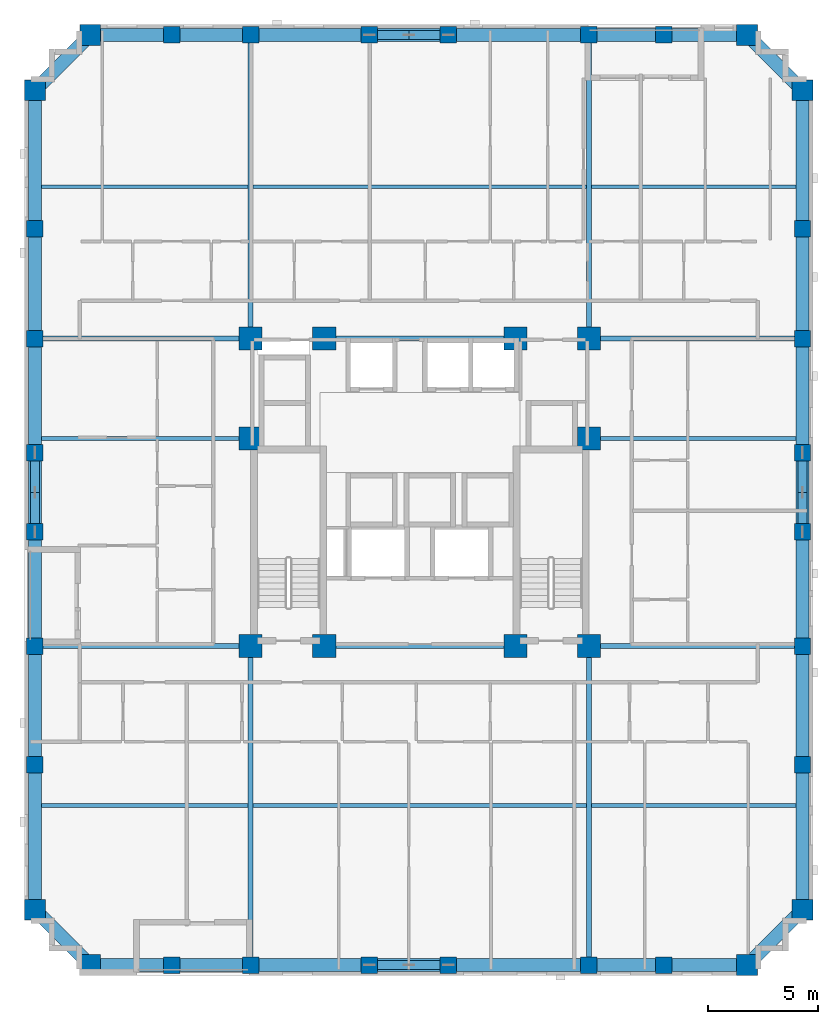
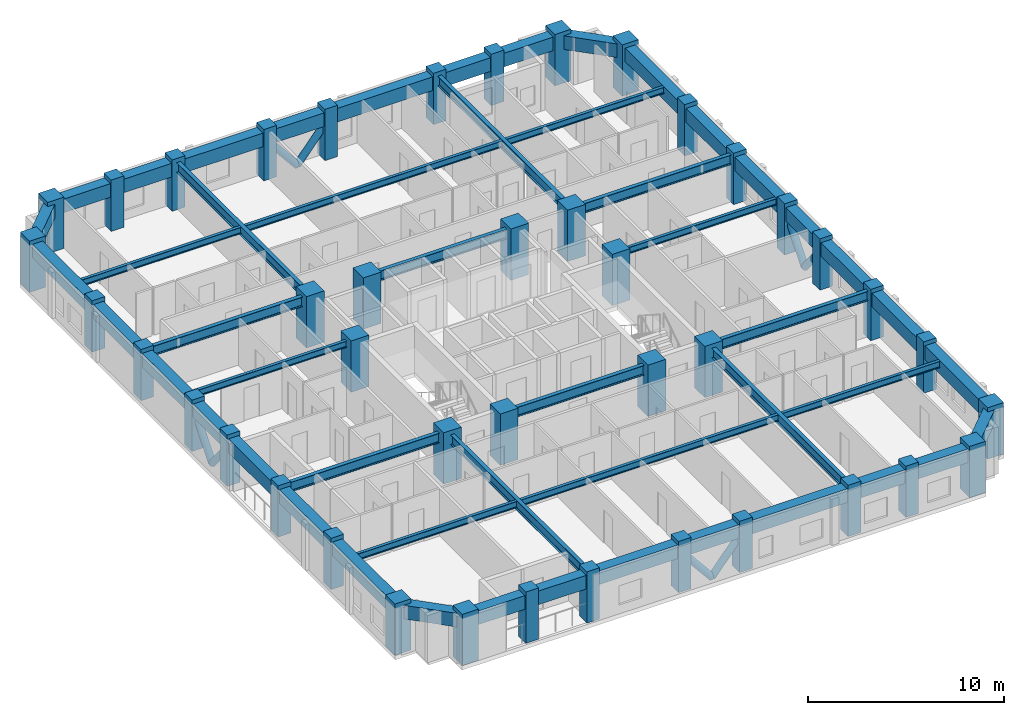
# One storey, part 1 of 12: 50 beams, 42 columns, 8 members.
"""IFC4 building model written with IfcOpenShell, lengths in metres."""

from ifc_helpers import new_model, si_unit, derived_unit, direction, frame, origin, origin_2d, place, context, subcontext, project, spatial, rectangle, hollow_circle, i_section, extrude, material, material_profile, profile_set, type_object, element, save


model = new_model("IFC4")

# Units and contexts
model_context = context("Model", 3, precision=1e-05, world=origin(), true_north=direction((0.0, 1.0)))
body_context = subcontext(model_context, "Body", "Model", "MODEL_VIEW")
ifc_project = project(units=[si_unit("LENGTHUNIT", "METRE"), si_unit("AREAUNIT", "SQUARE_METRE"), si_unit("VOLUMEUNIT", "CUBIC_METRE"), si_unit("PLANEANGLEUNIT", "RADIAN"), si_unit("MASSUNIT", "GRAM", prefix="KILO"), derived_unit("THERMALTRANSMITTANCEUNIT", [(si_unit("MASSUNIT", "GRAM", prefix="KILO"), 1), (si_unit("TIMEUNIT", "SECOND"), -3), (si_unit("THERMODYNAMICTEMPERATUREUNIT", "KELVIN"), -1)])], contexts=[model_context])

# Site, building, storey
site_placement = place(None, origin())
site = spatial("IfcSite", under=ifc_project, at=site_placement, CompositionType="ELEMENT")
building_placement = place(site_placement, origin())
building = spatial("IfcBuilding", under=site, at=building_placement, Name="Korrvale Station Residences", CompositionType="ELEMENT")
storey_placement = place(building_placement, frame((0.0, 0.0, 103.89990234375)))
storey = spatial("IfcBuildingStorey", under=building, at=storey_placement, Name="L29", CompositionType="ELEMENT", Elevation=103.89990234375)

# Columns
ifc_material_1 = material(Name="Concrete C60/75", Category="concrete")
ifc_material_profile_1 = material_profile(ifc_material_1, rectangle(XDim=1.050048828125, YDim=1.050048828125, at=origin_2d()), Name="RC1050x1050")
ifc_profile_set_1 = profile_set([ifc_material_profile_1], Name="Concrete C60/75")
column_type_1 = type_object("IfcColumnType", Name="COL-C-RC1050x1050-C6075", PredefinedType="COLUMN", material=ifc_profile_set_1)
for number, where, z_axis, x_axis, name in (
    (1, (17.800048828125, 15.0, 0.0), (0.0, 0.0, 1.0), (1.0, 0.0, 0.0), "L29 Core Column 01"),
    (2, (21.14990234375, 15.0, 0.0), (0.0, 0.0, 1.0), (1.0, 0.0, 0.0), "L29 Core Column 02"),
    (3, (29.85009765625, 15.0, 0.0), (0.0, 0.0, 1.0), (1.0, 0.0, 0.0), "L29 Core Column 03"),
    (4, (33.199951171875, 15.0, 0.0), (0.0, 0.0, 1.0), (1.0, 0.0, 0.0), "L29 Core Column 04"),
    (5, (17.800048828125, 29.0, 0.0), (0.0, 0.0, 1.0), (1.0, 0.0, 0.0), "L29 Core Column 05"),
    (6, (21.14990234375, 29.0, 0.0), (0.0, 0.0, 1.0), (1.0, 0.0, 0.0), "L29 Core Column 06"),
    (7, (29.85009765625, 29.0, 0.0), (0.0, 0.0, 1.0), (1.0, 0.0, 0.0), "L29 Core Column 07"),
    (8, (33.199951171875, 29.0, 0.0), (0.0, 0.0, 1.0), (1.0, 0.0, 0.0), "L29 Core Column 08"),
    (9, (17.800048828125, 24.449951171875, 0.0), (0.0, 0.0, 1.0), (1.0, 0.0, 0.0), "L29 Core Column 09"),
    (10, (33.199951171875, 24.449951171875, 0.0), (0.0, 0.0, 1.0), (1.0, 0.0, 0.0), "L29 Core Column 10"),
):
    element("IfcColumn", number, at=place(storey_placement, frame(where, z_axis=z_axis, x_axis=x_axis)), inside=storey, type_object=column_type_1, Name=name, PredefinedType="COLUMN", context=body_context, shape_type="SweptSolid", body=[
        extrude(rectangle(XDim=1.050048828125, YDim=1.050048828125, at=origin_2d()), origin(), (0.0, 0.0, 1.0), 3.2001953125),
    ])
ifc_material_profile_2 = material_profile(ifc_material_1, rectangle(XDim=0.75, YDim=0.75, at=origin_2d()), Name="RC750x750")
ifc_profile_set_2 = profile_set([ifc_material_profile_2], Name="Concrete C60/75")
column_type_2 = type_object("IfcColumnType", Name="COL-C-RC750x750-C6075", PredefinedType="COLUMN", material=ifc_profile_set_2)
for number, where, z_axis, x_axis, name in (
    (11, (14.199951171875, 0.47998046875, 0.0), (0.0, 0.0, 1.0), (1.0, 0.0, 0.0), "L29 Bundled-Tube South Column 02"),
    (12, (17.800048828125, 0.47998046875, 0.0), (0.0, 0.0, 1.0), (1.0, 0.0, 0.0), "L29 Bundled-Tube South Column 03"),
    (13, (23.199951171875, 0.47998046875, 0.0), (0.0, 0.0, 1.0), (1.0, 0.0, 0.0), "L29 Bundled-Tube South Column 04"),
    (14, (26.800048828125, 0.47998046875, 0.0), (0.0, 0.0, 1.0), (1.0, 0.0, 0.0), "L29 Bundled-Tube South Column 05"),
    (15, (33.199951171875, 0.47998046875, 0.0), (0.0, 0.0, 1.0), (1.0, 0.0, 0.0), "L29 Bundled-Tube South Column 06"),
    (16, (36.60009765625, 0.47998046875, 0.0), (0.0, 0.0, 1.0), (1.0, 0.0, 0.0), "L29 Bundled-Tube South Column 07"),
    (17, (14.199951171875, 42.820068359375, 0.0), (0.0, 0.0, 1.0), (1.0, 0.0, 0.0), "L29 Bundled-Tube North Column 10"),
    (18, (17.800048828125, 42.820068359375, 0.0), (0.0, 0.0, 1.0), (1.0, 0.0, 0.0), "L29 Bundled-Tube North Column 11"),
    (19, (23.199951171875, 42.820068359375, 0.0), (0.0, 0.0, 1.0), (1.0, 0.0, 0.0), "L29 Bundled-Tube North Column 12"),
    (20, (26.800048828125, 42.820068359375, 0.0), (0.0, 0.0, 1.0), (1.0, 0.0, 0.0), "L29 Bundled-Tube North Column 13"),
    (21, (33.199951171875, 42.820068359375, 0.0), (0.0, 0.0, 1.0), (1.0, 0.0, 0.0), "L29 Bundled-Tube North Column 14"),
    (22, (36.60009765625, 42.820068359375, 0.0), (0.0, 0.0, 1.0), (1.0, 0.0, 0.0), "L29 Bundled-Tube North Column 15"),
    (23, (7.97998046875, 9.60009765625, 0.0), (0.0, 0.0, 1.0), (1.0, 0.0, 0.0), "L29 Bundled-Tube West Column 18"),
    (24, (7.97998046875, 15.0, 0.0), (0.0, 0.0, 1.0), (1.0, 0.0, 0.0), "L29 Bundled-Tube West Column 19"),
    (25, (7.97998046875, 20.199951171875, 0.0), (0.0, 0.0, 1.0), (1.0, 0.0, 0.0), "L29 Bundled-Tube West Column 20"),
    (26, (7.97998046875, 23.800048828125, 0.0), (0.0, 0.0, 1.0), (1.0, 0.0, 0.0), "L29 Bundled-Tube West Column 21"),
    (27, (7.97998046875, 29.0, 0.0), (0.0, 0.0, 1.0), (1.0, 0.0, 0.0), "L29 Bundled-Tube West Column 22"),
    (28, (7.97998046875, 34.0, 0.0), (0.0, 0.0, 1.0), (1.0, 0.0, 0.0), "L29 Bundled-Tube West Column 23"),
    (29, (42.919921875, 9.60009765625, 0.0), (0.0, 0.0, 1.0), (1.0, 0.0, 0.0), "L29 Bundled-Tube East Column 26"),
    (30, (42.919921875, 15.0, 0.0), (0.0, 0.0, 1.0), (1.0, 0.0, 0.0), "L29 Bundled-Tube East Column 27"),
    (31, (42.919921875, 20.199951171875, 0.0), (0.0, 0.0, 1.0), (1.0, 0.0, 0.0), "L29 Bundled-Tube East Column 28"),
    (32, (42.919921875, 23.800048828125, 0.0), (0.0, 0.0, 1.0), (1.0, 0.0, 0.0), "L29 Bundled-Tube East Column 29"),
    (33, (42.919921875, 29.0, 0.0), (0.0, 0.0, 1.0), (1.0, 0.0, 0.0), "L29 Bundled-Tube East Column 30"),
    (34, (42.919921875, 34.0, 0.0), (0.0, 0.0, 1.0), (1.0, 0.0, 0.0), "L29 Bundled-Tube East Column 31"),
):
    element("IfcColumn", number, at=place(storey_placement, frame(where, z_axis=z_axis, x_axis=x_axis)), inside=storey, type_object=column_type_2, Name=name, PredefinedType="COLUMN", context=body_context, shape_type="SweptSolid", body=[
        extrude(rectangle(XDim=0.75, YDim=0.75, at=origin_2d()), origin(), (0.0, 0.0, 1.0), 3.2001953125),
    ])
ifc_material_profile_3 = material_profile(ifc_material_1, rectangle(XDim=0.949951171875, YDim=0.949951171875, at=origin_2d()), Name="RC950x950")
ifc_profile_set_3 = profile_set([ifc_material_profile_3], Name="Concrete C60/75")
column_type_3 = type_object("IfcColumnType", Name="COL-C-RC950x950-C6075", PredefinedType="COLUMN", material=ifc_profile_set_3)
for number, where, z_axis, x_axis, name in (
    (35, (10.5, 0.47998046875, 0.0), (0.0, 0.0, 1.0), (1.0, 0.0, 0.0), "L29 Bundled-Tube South Column 01"),
    (36, (40.39990234375, 0.47998046875, 0.0), (0.0, 0.0, 1.0), (1.0, 0.0, 0.0), "L29 Bundled-Tube South Column 08"),
    (37, (10.5, 42.820068359375, 0.0), (0.0, 0.0, 1.0), (1.0, 0.0, 0.0), "L29 Bundled-Tube North Column 09"),
    (38, (40.39990234375, 42.820068359375, 0.0), (0.0, 0.0, 1.0), (1.0, 0.0, 0.0), "L29 Bundled-Tube North Column 16"),
    (39, (7.97998046875, 3.0, 0.0), (0.0, 0.0, 1.0), (1.0, 0.0, 0.0), "L29 Bundled-Tube West Column 17"),
    (40, (7.97998046875, 40.300048828125, 0.0), (0.0, 0.0, 1.0), (1.0, 0.0, 0.0), "L29 Bundled-Tube West Column 24"),
    (41, (42.919921875, 3.0, 0.0), (0.0, 0.0, 1.0), (1.0, 0.0, 0.0), "L29 Bundled-Tube East Column 25"),
    (42, (42.919921875, 40.300048828125, 0.0), (0.0, 0.0, 1.0), (1.0, 0.0, 0.0), "L29 Bundled-Tube East Column 32"),
):
    element("IfcColumn", number, at=place(storey_placement, frame(where, z_axis=z_axis, x_axis=x_axis)), inside=storey, type_object=column_type_3, Name=name, PredefinedType="COLUMN", context=body_context, shape_type="SweptSolid", body=[
        extrude(rectangle(XDim=0.949951171875, YDim=0.949951171875, at=origin_2d()), origin(), (0.0, 0.0, 1.0), 3.2001953125),
    ])

# Beams
ifc_material_2 = material(Name="Steel S355", Category="steel")
ifc_material_profile_4 = material_profile(ifc_material_2, i_section(OverallWidth=0.22900390625, OverallDepth=0.612060546875, WebThickness=0.011962890625, FlangeThickness=0.01953125, FilletRadius=0.01904296875, at=origin_2d()), Name="W610x125")
ifc_profile_set_4 = profile_set([ifc_material_profile_4], Name="Steel S355")
beam_type_1 = type_object("IfcBeamType", Name="BM-BM-W610x125-S355", PredefinedType="BEAM", material=ifc_profile_set_4)
for number, where, z_axis, x_axis, name in (
    (43, (17.800048828125, 0.47998046875, 2.634033203125), (0.0, 1.0, 0.0), (-1.0, 0.0, 0.0), "L29 Bundled-Tube Web Girder 01"),
    (44, (33.199951171875, 0.47998046875, 2.634033203125), (0.0, 1.0, 0.0), (-1.0, 0.0, 0.0), "L29 Bundled-Tube Web Girder 02"),
):
    element("IfcBeam", number, at=place(storey_placement, frame(where, z_axis=z_axis, x_axis=x_axis)), inside=storey, type_object=beam_type_1, Name=name, PredefinedType="BEAM", context=body_context, shape_type="SweptSolid", body=[
        extrude(i_section(OverallWidth=0.22900390625, OverallDepth=0.612060546875, WebThickness=0.011962890625, FlangeThickness=0.01953125, FilletRadius=0.01904296875, at=origin_2d()), origin(), (0.0, 0.0, 1.0), 14.52001953125),
    ])
for number, where, z_axis, x_axis, name in (
    (45, (17.800048828125, 29.0, 2.634033203125), (0.0, 1.0, 0.0), (-1.0, 0.0, 0.0), "L29 Bundled-Tube Web Girder 03"),
    (46, (33.199951171875, 29.0, 2.634033203125), (0.0, 1.0, 0.0), (-1.0, 0.0, 0.0), "L29 Bundled-Tube Web Girder 04"),
):
    element("IfcBeam", number, at=place(storey_placement, frame(where, z_axis=z_axis, x_axis=x_axis)), inside=storey, type_object=beam_type_1, Name=name, PredefinedType="BEAM", context=body_context, shape_type="SweptSolid", body=[
        extrude(i_section(OverallWidth=0.22900390625, OverallDepth=0.612060546875, WebThickness=0.011962890625, FlangeThickness=0.01953125, FilletRadius=0.01904296875, at=origin_2d()), origin(), (0.0, 0.0, 1.0), 13.820068359375),
    ])
beam_1_placement = place(storey_placement, frame((7.97998046875, 15.0, 2.634033203125), z_axis=(1.0, 0.0, 0.0), x_axis=(0.0, 1.0, 0.0)))
element("IfcBeam", 47, at=beam_1_placement, inside=storey, type_object=beam_type_1, Name="L29 Bundled-Tube Web Girder 05", PredefinedType="BEAM", context=body_context, shape_type="SweptSolid", body=[
    extrude(i_section(OverallWidth=0.22900390625, OverallDepth=0.612060546875, WebThickness=0.011962890625, FlangeThickness=0.01953125, FilletRadius=0.01904296875, at=origin_2d()), origin(), (0.0, 0.0, 1.0), 9.820068359375),
])
beam_2_placement = place(storey_placement, frame((33.199951171875, 15.0, 2.634033203125), z_axis=(1.0, 0.0, 0.0), x_axis=(0.0, 1.0, 0.0)))
element("IfcBeam", 48, at=beam_2_placement, inside=storey, type_object=beam_type_1, Name="L29 Bundled-Tube Web Girder 06", PredefinedType="BEAM", context=body_context, shape_type="SweptSolid", body=[
    extrude(i_section(OverallWidth=0.22900390625, OverallDepth=0.612060546875, WebThickness=0.011962890625, FlangeThickness=0.01953125, FilletRadius=0.01904296875, at=origin_2d()), origin(), (0.0, 0.0, 1.0), 9.719970703125),
])
beam_3_placement = place(storey_placement, frame((7.97998046875, 29.0, 2.634033203125), z_axis=(1.0, 0.0, 0.0), x_axis=(0.0, 1.0, 0.0)))
element("IfcBeam", 49, at=beam_3_placement, inside=storey, type_object=beam_type_1, Name="L29 Bundled-Tube Web Girder 07", PredefinedType="BEAM", context=body_context, shape_type="SweptSolid", body=[
    extrude(i_section(OverallWidth=0.22900390625, OverallDepth=0.612060546875, WebThickness=0.011962890625, FlangeThickness=0.01953125, FilletRadius=0.01904296875, at=origin_2d()), origin(), (0.0, 0.0, 1.0), 9.820068359375),
])
beam_4_placement = place(storey_placement, frame((33.199951171875, 29.0, 2.634033203125), z_axis=(1.0, 0.0, 0.0), x_axis=(0.0, 1.0, 0.0)))
element("IfcBeam", 50, at=beam_4_placement, inside=storey, type_object=beam_type_1, Name="L29 Bundled-Tube Web Girder 08", PredefinedType="BEAM", context=body_context, shape_type="SweptSolid", body=[
    extrude(i_section(OverallWidth=0.22900390625, OverallDepth=0.612060546875, WebThickness=0.011962890625, FlangeThickness=0.01953125, FilletRadius=0.01904296875, at=origin_2d()), origin(), (0.0, 0.0, 1.0), 9.719970703125),
])
for number, where, z_axis, x_axis, name in (
    (51, (21.14990234375, 15.0, 2.634033203125), (1.0, 0.0, 0.0), (0.0, 1.0, 0.0), "L29 Bundled-Tube Web Girder 09"),
    (52, (21.14990234375, 29.0, 2.634033203125), (1.0, 0.0, 0.0), (0.0, 1.0, 0.0), "L29 Bundled-Tube Web Girder 10"),
):
    element("IfcBeam", number, at=place(storey_placement, frame(where, z_axis=z_axis, x_axis=x_axis)), inside=storey, type_object=beam_type_1, Name=name, PredefinedType="BEAM", context=body_context, shape_type="SweptSolid", body=[
        extrude(i_section(OverallWidth=0.22900390625, OverallDepth=0.612060546875, WebThickness=0.011962890625, FlangeThickness=0.01953125, FilletRadius=0.01904296875, at=origin_2d()), origin(), (0.0, 0.0, 1.0), 8.7001953125),
    ])
ifc_material_profile_5 = material_profile(ifc_material_2, i_section(OverallWidth=0.177978515625, OverallDepth=0.406982421875, WebThickness=0.0078125, FlangeThickness=0.0126953125, FilletRadius=0.01611328125, at=origin_2d()), Name="W410x60")
ifc_profile_set_5 = profile_set([ifc_material_profile_5], Name="Steel S355")
beam_type_2 = type_object("IfcBeamType", Name="BM-JST-W410x60-S355", PredefinedType="JOIST", material=ifc_profile_set_5)
beam_5_placement = place(storey_placement, frame((8.280029296875, 7.739990234375, 2.736572265625), z_axis=(1.0, 0.0, 0.0), x_axis=(0.0, 1.0, 0.0)))
element("IfcBeam", 53, at=beam_5_placement, inside=storey, type_object=beam_type_2, Name="L29 Floor Framing Joist 01", PredefinedType="JOIST", context=body_context, shape_type="SweptSolid", body=[
    extrude(i_section(OverallWidth=0.177978515625, OverallDepth=0.406982421875, WebThickness=0.0078125, FlangeThickness=0.0126953125, FilletRadius=0.01611328125, at=origin_2d()), origin(), (0.0, 0.0, 1.0), 9.405517578125),
])
beam_6_placement = place(storey_placement, frame((17.91455078125, 7.739990234375, 2.736572265625), z_axis=(1.0, 0.0, 0.0), x_axis=(0.0, 1.0, 0.0)))
element("IfcBeam", 54, at=beam_6_placement, inside=storey, type_object=beam_type_2, Name="L29 Floor Framing Joist 02", PredefinedType="JOIST", context=body_context, shape_type="SweptSolid", body=[
    extrude(i_section(OverallWidth=0.177978515625, OverallDepth=0.406982421875, WebThickness=0.0078125, FlangeThickness=0.0126953125, FilletRadius=0.01611328125, at=origin_2d()), origin(), (0.0, 0.0, 1.0), 15.1708984375),
])
beam_7_placement = place(storey_placement, frame((33.314453125, 7.739990234375, 2.736572265625), z_axis=(1.0, 0.0, 0.0), x_axis=(0.0, 1.0, 0.0)))
element("IfcBeam", 55, at=beam_7_placement, inside=storey, type_object=beam_type_2, Name="L29 Floor Framing Joist 03", PredefinedType="JOIST", context=body_context, shape_type="SweptSolid", body=[
    extrude(i_section(OverallWidth=0.177978515625, OverallDepth=0.406982421875, WebThickness=0.0078125, FlangeThickness=0.0126953125, FilletRadius=0.01611328125, at=origin_2d()), origin(), (0.0, 0.0, 1.0), 9.3056640625),
])
beam_8_placement = place(storey_placement, frame((8.280029296875, 35.909912109375, 2.736572265625), z_axis=(1.0, 0.0, 0.0), x_axis=(0.0, 1.0, 0.0)))
element("IfcBeam", 56, at=beam_8_placement, inside=storey, type_object=beam_type_2, Name="L29 Floor Framing Joist 04", PredefinedType="JOIST", context=body_context, shape_type="SweptSolid", body=[
    extrude(i_section(OverallWidth=0.177978515625, OverallDepth=0.406982421875, WebThickness=0.0078125, FlangeThickness=0.0126953125, FilletRadius=0.01611328125, at=origin_2d()), origin(), (0.0, 0.0, 1.0), 9.405517578125),
])
beam_9_placement = place(storey_placement, frame((17.91455078125, 35.909912109375, 2.736572265625), z_axis=(1.0, 0.0, 0.0), x_axis=(0.0, 1.0, 0.0)))
element("IfcBeam", 57, at=beam_9_placement, inside=storey, type_object=beam_type_2, Name="L29 Floor Framing Joist 05", PredefinedType="JOIST", context=body_context, shape_type="SweptSolid", body=[
    extrude(i_section(OverallWidth=0.177978515625, OverallDepth=0.406982421875, WebThickness=0.0078125, FlangeThickness=0.0126953125, FilletRadius=0.01611328125, at=origin_2d()), origin(), (0.0, 0.0, 1.0), 15.1708984375),
])
beam_10_placement = place(storey_placement, frame((33.314453125, 35.909912109375, 2.736572265625), z_axis=(1.0, 0.0, 0.0), x_axis=(0.0, 1.0, 0.0)))
element("IfcBeam", 58, at=beam_10_placement, inside=storey, type_object=beam_type_2, Name="L29 Floor Framing Joist 06", PredefinedType="JOIST", context=body_context, shape_type="SweptSolid", body=[
    extrude(i_section(OverallWidth=0.177978515625, OverallDepth=0.406982421875, WebThickness=0.0078125, FlangeThickness=0.0126953125, FilletRadius=0.01611328125, at=origin_2d()), origin(), (0.0, 0.0, 1.0), 9.3056640625),
])
beam_11_placement = place(storey_placement, frame((33.199951171875, 24.449951171875, 2.736572265625), z_axis=(1.0, 0.0, 0.0), x_axis=(0.0, 1.0, 0.0)))
element("IfcBeam", 59, at=beam_11_placement, inside=storey, type_object=beam_type_2, Name="L29 Floor Framing Joist 07", PredefinedType="JOIST", context=body_context, shape_type="SweptSolid", body=[
    extrude(i_section(OverallWidth=0.177978515625, OverallDepth=0.406982421875, WebThickness=0.0078125, FlangeThickness=0.0126953125, FilletRadius=0.01611328125, at=origin_2d()), origin(), (0.0, 0.0, 1.0), 9.420166015625),
])
beam_12_placement = place(storey_placement, frame((8.280029296875, 24.449951171875, 2.736572265625), z_axis=(1.0, 0.0, 0.0), x_axis=(0.0, 1.0, 0.0)))
element("IfcBeam", 60, at=beam_12_placement, inside=storey, type_object=beam_type_2, Name="L29 Floor Framing Joist 08", PredefinedType="JOIST", context=body_context, shape_type="SweptSolid", body=[
    extrude(i_section(OverallWidth=0.177978515625, OverallDepth=0.406982421875, WebThickness=0.0078125, FlangeThickness=0.0126953125, FilletRadius=0.01611328125, at=origin_2d()), origin(), (0.0, 0.0, 1.0), 9.52001953125),
])
ifc_material_profile_6 = material_profile(ifc_material_1, rectangle(XDim=0.60009765625, YDim=0.85009765625, at=origin_2d()), Name="RCB600x850")
ifc_profile_set_6 = profile_set([ifc_material_profile_6], Name="Concrete C60/75")
beam_type_3 = type_object("IfcBeamType", Name="BM-SPB-RCB600x850-C6075", PredefinedType="SPANDREL", material=ifc_profile_set_6)
beam_13_placement = place(storey_placement, frame((10.5, 0.47998046875, 2.51513671875), z_axis=(1.0, 0.0, 0.0), x_axis=(0.0, 1.0, 0.0)))
element("IfcBeam", 61, at=beam_13_placement, inside=storey, type_object=beam_type_3, Name="L29 South Tube Spandrel 01", PredefinedType="SPANDREL", context=body_context, shape_type="SweptSolid", body=[
    extrude(rectangle(XDim=0.60009765625, YDim=0.85009765625, at=origin_2d()), origin(), (0.0, 0.0, 1.0), 3.699951171875),
])
beam_14_placement = place(storey_placement, frame((14.199951171875, 0.47998046875, 2.51513671875), z_axis=(1.0, 0.0, 0.0), x_axis=(0.0, 1.0, 0.0)))
element("IfcBeam", 62, at=beam_14_placement, inside=storey, type_object=beam_type_3, Name="L29 South Tube Spandrel 02", PredefinedType="SPANDREL", context=body_context, shape_type="SweptSolid", body=[
    extrude(rectangle(XDim=0.60009765625, YDim=0.85009765625, at=origin_2d()), origin(), (0.0, 0.0, 1.0), 3.60009765625),
])
beam_15_placement = place(storey_placement, frame((17.800048828125, 0.47998046875, 2.51513671875), z_axis=(1.0, 0.0, 0.0), x_axis=(0.0, 1.0, 0.0)))
element("IfcBeam", 63, at=beam_15_placement, inside=storey, type_object=beam_type_3, Name="L29 South Tube Spandrel 03", PredefinedType="SPANDREL", context=body_context, shape_type="SweptSolid", body=[
    extrude(rectangle(XDim=0.60009765625, YDim=0.85009765625, at=origin_2d()), origin(), (0.0, 0.0, 1.0), 5.39990234375),
])
beam_16_placement = place(storey_placement, frame((23.199951171875, 0.47998046875, 2.51513671875), z_axis=(1.0, 0.0, 0.0), x_axis=(0.0, 1.0, 0.0)))
element("IfcBeam", 64, at=beam_16_placement, inside=storey, type_object=beam_type_3, Name="L29 South Tube Spandrel 04", PredefinedType="SPANDREL", context=body_context, shape_type="SweptSolid", body=[
    extrude(rectangle(XDim=0.60009765625, YDim=0.85009765625, at=origin_2d()), origin(), (0.0, 0.0, 1.0), 3.60009765625),
])
beam_17_placement = place(storey_placement, frame((26.800048828125, 0.47998046875, 2.51513671875), z_axis=(1.0, 0.0, 0.0), x_axis=(0.0, 1.0, 0.0)))
element("IfcBeam", 65, at=beam_17_placement, inside=storey, type_object=beam_type_3, Name="L29 South Tube Spandrel 05", PredefinedType="SPANDREL", context=body_context, shape_type="SweptSolid", body=[
    extrude(rectangle(XDim=0.60009765625, YDim=0.85009765625, at=origin_2d()), origin(), (0.0, 0.0, 1.0), 6.39990234375),
])
beam_18_placement = place(storey_placement, frame((33.199951171875, 0.47998046875, 2.51513671875), z_axis=(1.0, 0.0, 0.0), x_axis=(0.0, 1.0, 0.0)))
element("IfcBeam", 66, at=beam_18_placement, inside=storey, type_object=beam_type_3, Name="L29 South Tube Spandrel 06", PredefinedType="SPANDREL", context=body_context, shape_type="SweptSolid", body=[
    extrude(rectangle(XDim=0.60009765625, YDim=0.85009765625, at=origin_2d()), origin(), (0.0, 0.0, 1.0), 3.400146484375),
])
beam_19_placement = place(storey_placement, frame((36.60009765625, 0.47998046875, 2.51513671875), z_axis=(1.0, 0.0, 0.0), x_axis=(0.0, 1.0, 0.0)))
element("IfcBeam", 67, at=beam_19_placement, inside=storey, type_object=beam_type_3, Name="L29 South Tube Spandrel 07", PredefinedType="SPANDREL", context=body_context, shape_type="SweptSolid", body=[
    extrude(rectangle(XDim=0.60009765625, YDim=0.85009765625, at=origin_2d()), origin(), (0.0, 0.0, 1.0), 3.7998046875),
])
beam_20_placement = place(storey_placement, frame((10.5, 42.820068359375, 2.51513671875), z_axis=(1.0, 0.0, 0.0), x_axis=(0.0, 1.0, 0.0)))
element("IfcBeam", 68, at=beam_20_placement, inside=storey, type_object=beam_type_3, Name="L29 North Tube Spandrel 08", PredefinedType="SPANDREL", context=body_context, shape_type="SweptSolid", body=[
    extrude(rectangle(XDim=0.60009765625, YDim=0.85009765625, at=origin_2d()), origin(), (0.0, 0.0, 1.0), 3.699951171875),
])
beam_21_placement = place(storey_placement, frame((14.199951171875, 42.820068359375, 2.51513671875), z_axis=(1.0, 0.0, 0.0), x_axis=(0.0, 1.0, 0.0)))
element("IfcBeam", 69, at=beam_21_placement, inside=storey, type_object=beam_type_3, Name="L29 North Tube Spandrel 09", PredefinedType="SPANDREL", context=body_context, shape_type="SweptSolid", body=[
    extrude(rectangle(XDim=0.60009765625, YDim=0.85009765625, at=origin_2d()), origin(), (0.0, 0.0, 1.0), 3.60009765625),
])
beam_22_placement = place(storey_placement, frame((17.800048828125, 42.820068359375, 2.51513671875), z_axis=(1.0, 0.0, 0.0), x_axis=(0.0, 1.0, 0.0)))
element("IfcBeam", 70, at=beam_22_placement, inside=storey, type_object=beam_type_3, Name="L29 North Tube Spandrel 10", PredefinedType="SPANDREL", context=body_context, shape_type="SweptSolid", body=[
    extrude(rectangle(XDim=0.60009765625, YDim=0.85009765625, at=origin_2d()), origin(), (0.0, 0.0, 1.0), 5.39990234375),
])
beam_23_placement = place(storey_placement, frame((23.199951171875, 42.820068359375, 2.51513671875), z_axis=(1.0, 0.0, 0.0), x_axis=(0.0, 1.0, 0.0)))
element("IfcBeam", 71, at=beam_23_placement, inside=storey, type_object=beam_type_3, Name="L29 North Tube Spandrel 11", PredefinedType="SPANDREL", context=body_context, shape_type="SweptSolid", body=[
    extrude(rectangle(XDim=0.60009765625, YDim=0.85009765625, at=origin_2d()), origin(), (0.0, 0.0, 1.0), 3.60009765625),
])
beam_24_placement = place(storey_placement, frame((26.800048828125, 42.820068359375, 2.51513671875), z_axis=(1.0, 0.0, 0.0), x_axis=(0.0, 1.0, 0.0)))
element("IfcBeam", 72, at=beam_24_placement, inside=storey, type_object=beam_type_3, Name="L29 North Tube Spandrel 12", PredefinedType="SPANDREL", context=body_context, shape_type="SweptSolid", body=[
    extrude(rectangle(XDim=0.60009765625, YDim=0.85009765625, at=origin_2d()), origin(), (0.0, 0.0, 1.0), 6.39990234375),
])
beam_25_placement = place(storey_placement, frame((33.199951171875, 42.820068359375, 2.51513671875), z_axis=(1.0, 0.0, 0.0), x_axis=(0.0, 1.0, 0.0)))
element("IfcBeam", 73, at=beam_25_placement, inside=storey, type_object=beam_type_3, Name="L29 North Tube Spandrel 13", PredefinedType="SPANDREL", context=body_context, shape_type="SweptSolid", body=[
    extrude(rectangle(XDim=0.60009765625, YDim=0.85009765625, at=origin_2d()), origin(), (0.0, 0.0, 1.0), 3.400146484375),
])
beam_26_placement = place(storey_placement, frame((36.60009765625, 42.820068359375, 2.51513671875), z_axis=(1.0, 0.0, 0.0), x_axis=(0.0, 1.0, 0.0)))
element("IfcBeam", 74, at=beam_26_placement, inside=storey, type_object=beam_type_3, Name="L29 North Tube Spandrel 14", PredefinedType="SPANDREL", context=body_context, shape_type="SweptSolid", body=[
    extrude(rectangle(XDim=0.60009765625, YDim=0.85009765625, at=origin_2d()), origin(), (0.0, 0.0, 1.0), 3.7998046875),
])
beam_27_placement = place(storey_placement, frame((7.97998046875, 3.0, 2.51513671875), z_axis=(0.0, 1.0, 0.0), x_axis=(-1.0, 0.0, 0.0)))
element("IfcBeam", 75, at=beam_27_placement, inside=storey, type_object=beam_type_3, Name="L29 West Tube Spandrel 15", PredefinedType="SPANDREL", context=body_context, shape_type="SweptSolid", body=[
    extrude(rectangle(XDim=0.60009765625, YDim=0.85009765625, at=origin_2d()), origin(), (0.0, 0.0, 1.0), 6.60009765625),
])
beam_28_placement = place(storey_placement, frame((7.97998046875, 9.60009765625, 2.51513671875), z_axis=(0.0, 1.0, 0.0), x_axis=(-1.0, 0.0, 0.0)))
element("IfcBeam", 76, at=beam_28_placement, inside=storey, type_object=beam_type_3, Name="L29 West Tube Spandrel 16", PredefinedType="SPANDREL", context=body_context, shape_type="SweptSolid", body=[
    extrude(rectangle(XDim=0.60009765625, YDim=0.85009765625, at=origin_2d()), origin(), (0.0, 0.0, 1.0), 5.39990234375),
])
beam_29_placement = place(storey_placement, frame((7.97998046875, 15.0, 2.51513671875), z_axis=(0.0, 1.0, 0.0), x_axis=(-1.0, 0.0, 0.0)))
element("IfcBeam", 77, at=beam_29_placement, inside=storey, type_object=beam_type_3, Name="L29 West Tube Spandrel 17", PredefinedType="SPANDREL", context=body_context, shape_type="SweptSolid", body=[
    extrude(rectangle(XDim=0.60009765625, YDim=0.85009765625, at=origin_2d()), origin(), (0.0, 0.0, 1.0), 5.199951171875),
])
beam_30_placement = place(storey_placement, frame((7.97998046875, 20.199951171875, 2.51513671875), z_axis=(0.0, 1.0, 0.0), x_axis=(-1.0, 0.0, 0.0)))
element("IfcBeam", 78, at=beam_30_placement, inside=storey, type_object=beam_type_3, Name="L29 West Tube Spandrel 18", PredefinedType="SPANDREL", context=body_context, shape_type="SweptSolid", body=[
    extrude(rectangle(XDim=0.60009765625, YDim=0.85009765625, at=origin_2d()), origin(), (0.0, 0.0, 1.0), 3.60009765625),
])
beam_31_placement = place(storey_placement, frame((7.97998046875, 23.800048828125, 2.51513671875), z_axis=(0.0, 1.0, 0.0), x_axis=(-1.0, 0.0, 0.0)))
element("IfcBeam", 79, at=beam_31_placement, inside=storey, type_object=beam_type_3, Name="L29 West Tube Spandrel 19", PredefinedType="SPANDREL", context=body_context, shape_type="SweptSolid", body=[
    extrude(rectangle(XDim=0.60009765625, YDim=0.85009765625, at=origin_2d()), origin(), (0.0, 0.0, 1.0), 5.199951171875),
])
beam_32_placement = place(storey_placement, frame((7.97998046875, 29.0, 2.51513671875), z_axis=(0.0, 1.0, 0.0), x_axis=(-1.0, 0.0, 0.0)))
element("IfcBeam", 80, at=beam_32_placement, inside=storey, type_object=beam_type_3, Name="L29 West Tube Spandrel 20", PredefinedType="SPANDREL", context=body_context, shape_type="SweptSolid", body=[
    extrude(rectangle(XDim=0.60009765625, YDim=0.85009765625, at=origin_2d()), origin(), (0.0, 0.0, 1.0), 5.0),
])
beam_33_placement = place(storey_placement, frame((7.97998046875, 34.0, 2.51513671875), z_axis=(0.0, 1.0, 0.0), x_axis=(-1.0, 0.0, 0.0)))
element("IfcBeam", 81, at=beam_33_placement, inside=storey, type_object=beam_type_3, Name="L29 West Tube Spandrel 21", PredefinedType="SPANDREL", context=body_context, shape_type="SweptSolid", body=[
    extrude(rectangle(XDim=0.60009765625, YDim=0.85009765625, at=origin_2d()), origin(), (0.0, 0.0, 1.0), 6.300048828125),
])
beam_34_placement = place(storey_placement, frame((42.919921875, 3.0, 2.51513671875), z_axis=(0.0, 1.0, 0.0), x_axis=(-1.0, 0.0, 0.0)))
element("IfcBeam", 82, at=beam_34_placement, inside=storey, type_object=beam_type_3, Name="L29 East Tube Spandrel 22", PredefinedType="SPANDREL", context=body_context, shape_type="SweptSolid", body=[
    extrude(rectangle(XDim=0.60009765625, YDim=0.85009765625, at=origin_2d()), origin(), (0.0, 0.0, 1.0), 6.60009765625),
])
beam_35_placement = place(storey_placement, frame((42.919921875, 9.60009765625, 2.51513671875), z_axis=(0.0, 1.0, 0.0), x_axis=(-1.0, 0.0, 0.0)))
element("IfcBeam", 83, at=beam_35_placement, inside=storey, type_object=beam_type_3, Name="L29 East Tube Spandrel 23", PredefinedType="SPANDREL", context=body_context, shape_type="SweptSolid", body=[
    extrude(rectangle(XDim=0.60009765625, YDim=0.85009765625, at=origin_2d()), origin(), (0.0, 0.0, 1.0), 5.39990234375),
])
beam_36_placement = place(storey_placement, frame((42.919921875, 15.0, 2.51513671875), z_axis=(0.0, 1.0, 0.0), x_axis=(-1.0, 0.0, 0.0)))
element("IfcBeam", 84, at=beam_36_placement, inside=storey, type_object=beam_type_3, Name="L29 East Tube Spandrel 24", PredefinedType="SPANDREL", context=body_context, shape_type="SweptSolid", body=[
    extrude(rectangle(XDim=0.60009765625, YDim=0.85009765625, at=origin_2d()), origin(), (0.0, 0.0, 1.0), 5.199951171875),
])
beam_37_placement = place(storey_placement, frame((42.919921875, 20.199951171875, 2.51513671875), z_axis=(0.0, 1.0, 0.0), x_axis=(-1.0, 0.0, 0.0)))
element("IfcBeam", 85, at=beam_37_placement, inside=storey, type_object=beam_type_3, Name="L29 East Tube Spandrel 25", PredefinedType="SPANDREL", context=body_context, shape_type="SweptSolid", body=[
    extrude(rectangle(XDim=0.60009765625, YDim=0.85009765625, at=origin_2d()), origin(), (0.0, 0.0, 1.0), 3.60009765625),
])
beam_38_placement = place(storey_placement, frame((42.919921875, 23.800048828125, 2.51513671875), z_axis=(0.0, 1.0, 0.0), x_axis=(-1.0, 0.0, 0.0)))
element("IfcBeam", 86, at=beam_38_placement, inside=storey, type_object=beam_type_3, Name="L29 East Tube Spandrel 26", PredefinedType="SPANDREL", context=body_context, shape_type="SweptSolid", body=[
    extrude(rectangle(XDim=0.60009765625, YDim=0.85009765625, at=origin_2d()), origin(), (0.0, 0.0, 1.0), 5.199951171875),
])
beam_39_placement = place(storey_placement, frame((42.919921875, 29.0, 2.51513671875), z_axis=(0.0, 1.0, 0.0), x_axis=(-1.0, 0.0, 0.0)))
element("IfcBeam", 87, at=beam_39_placement, inside=storey, type_object=beam_type_3, Name="L29 East Tube Spandrel 27", PredefinedType="SPANDREL", context=body_context, shape_type="SweptSolid", body=[
    extrude(rectangle(XDim=0.60009765625, YDim=0.85009765625, at=origin_2d()), origin(), (0.0, 0.0, 1.0), 5.0),
])
beam_40_placement = place(storey_placement, frame((42.919921875, 34.0, 2.51513671875), z_axis=(0.0, 1.0, 0.0), x_axis=(-1.0, 0.0, 0.0)))
element("IfcBeam", 88, at=beam_40_placement, inside=storey, type_object=beam_type_3, Name="L29 East Tube Spandrel 28", PredefinedType="SPANDREL", context=body_context, shape_type="SweptSolid", body=[
    extrude(rectangle(XDim=0.60009765625, YDim=0.85009765625, at=origin_2d()), origin(), (0.0, 0.0, 1.0), 6.300048828125),
])
for number, where, z_axis, x_axis, name in (
    (89, (10.5, 0.47998046875, 2.51513671875), (-0.707106781187, 0.707106781187, 0.0), (-0.707106781187, -0.707106781187, 0.0), "L29 Serrated Corner Spandrel 29"),
    (90, (40.39990234375, 0.47998046875, 2.51513671875), (0.707106781187, 0.707106781187, 0.0), (-0.707106781187, 0.707106781187, 0.0), "L29 Serrated Corner Spandrel 30"),
    (91, (40.39990234375, 42.820068359375, 2.51513671875), (0.707106781187, -0.707106781187, 0.0), (0.707106781187, 0.707106781187, 0.0), "L29 Serrated Corner Spandrel 31"),
    (92, (10.5, 42.820068359375, 2.51513671875), (-0.707106781187, -0.707106781187, 0.0), (0.707106781187, -0.707106781187, 0.0), "L29 Serrated Corner Spandrel 32"),
):
    element("IfcBeam", number, at=place(storey_placement, frame(where, z_axis=z_axis, x_axis=x_axis)), inside=storey, type_object=beam_type_3, Name=name, PredefinedType="SPANDREL", context=body_context, shape_type="SweptSolid", body=[
        extrude(rectangle(XDim=0.60009765625, YDim=0.85009765625, at=origin_2d()), origin(), (0.0, 0.0, 1.0), 3.56396484375),
    ])

# Members
ifc_material_profile_7 = material_profile(ifc_material_2, hollow_circle(Radius=0.203125, WallThickness=0.015869140625, at=origin_2d()), Name="HSS406x16")
ifc_profile_set_7 = profile_set([ifc_material_profile_7], Name="Steel S355")
member_type = type_object("IfcMemberType", Name="MBR-BR-HSS406x16", PredefinedType="BRACE", material=ifc_profile_set_7)
for number, where, z_axis, x_axis, name in (
    (93, (25.0, 0.47998046875, 0.02001953125), (-0.634943249511, 0.0, 0.772558780871), (0.0, -1.0, 0.0), "L29 S Perimeter Tube Wind Brace 1"),
    (94, (25.0, 0.47998046875, 0.02001953125), (0.634943249511, 0.0, 0.772558780871), (0.0, 1.0, 0.0), "L29 S Perimeter Tube Wind Brace 2"),
    (95, (25.0, 42.820068359375, 0.02001953125), (-0.634943249511, 0.0, 0.772558780871), (0.0, -1.0, 0.0), "L29 N Perimeter Tube Wind Brace 1"),
    (96, (25.0, 42.820068359375, 0.02001953125), (0.634943249511, 0.0, 0.772558780871), (0.0, 1.0, 0.0), "L29 N Perimeter Tube Wind Brace 2"),
    (97, (7.97998046875, 22.0, 0.02001953125), (0.0, -0.634943249511, 0.772558780871), (1.0, 0.0, 0.0), "L29 W Perimeter Tube Wind Brace 1"),
    (98, (7.97998046875, 22.0, 0.02001953125), (0.0, 0.634943249511, 0.772558780871), (-1.0, 0.0, 0.0), "L29 W Perimeter Tube Wind Brace 2"),
    (99, (42.919921875, 22.0, 0.02001953125), (0.0, -0.634943249511, 0.772558780871), (1.0, 0.0, 0.0), "L29 E Perimeter Tube Wind Brace 1"),
    (100, (42.919921875, 22.0, 0.02001953125), (0.0, 0.634943249511, 0.772558780871), (-1.0, 0.0, 0.0), "L29 E Perimeter Tube Wind Brace 2"),
):
    element("IfcMember", number, at=place(storey_placement, frame(where, z_axis=z_axis, x_axis=x_axis)), inside=storey, type_object=member_type, Name=name, PredefinedType="BRACE", context=body_context, shape_type="SweptSolid", body=[
        extrude(hollow_circle(Radius=0.203125, WallThickness=0.015869140625, at=origin_2d()), origin(), (0.0, 0.0, 1.0), 2.8349609375),
    ])

save(model, "model.ifc")
